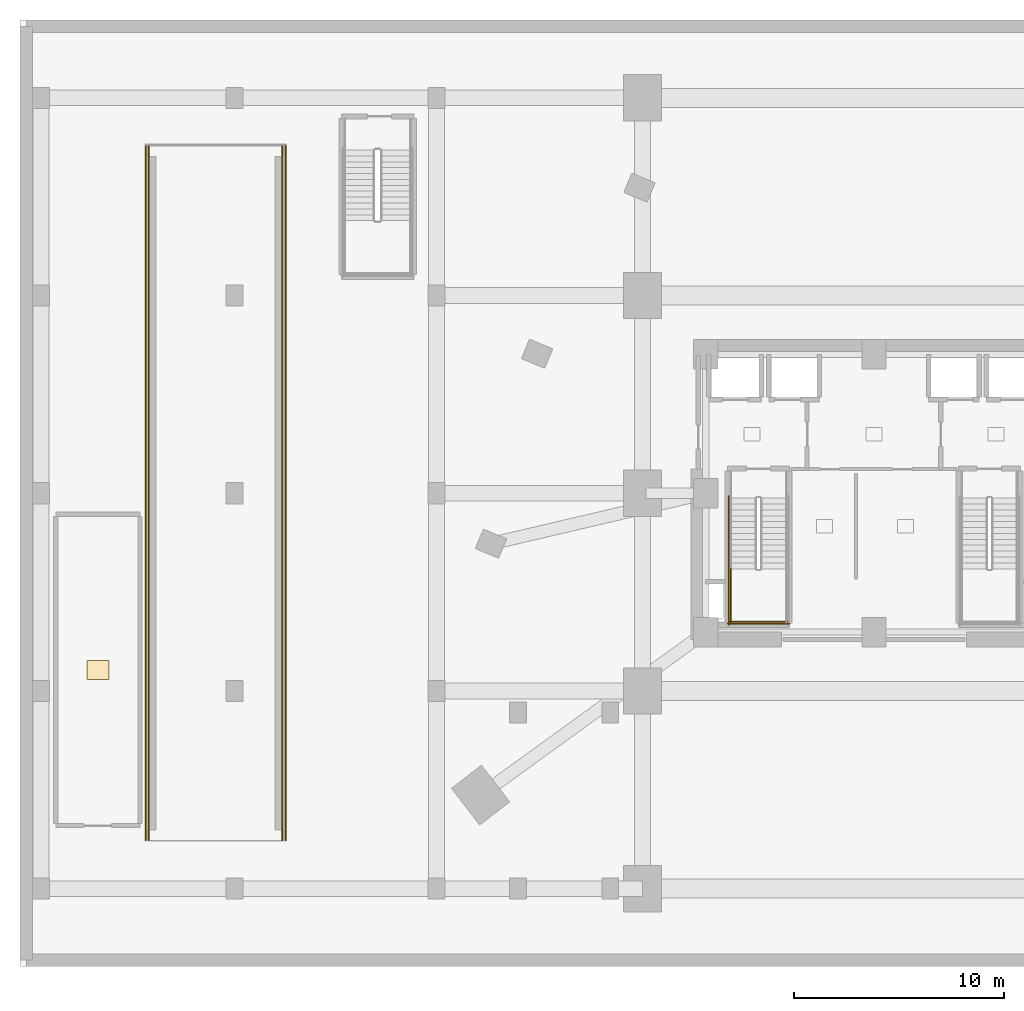
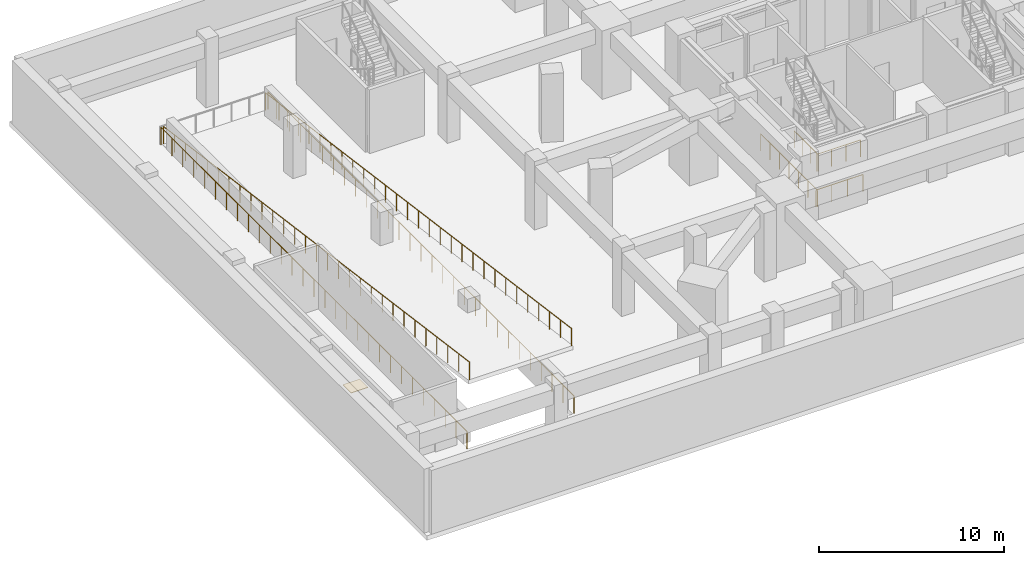
# One storey, part 5 of 9: 8 railings, 1 covering.
"""IFC4 building model written with IfcOpenShell, lengths in metres."""

from ifc_helpers import new_model, si_unit, direction, frame, origin, origin_2d, place, context, subcontext, project, spatial, rectangle, circle, extrude, material, layer, layer_set, type_object, element, save


model = new_model("IFC4")

# Units and contexts
model_context = context("Model", 3, precision=1e-05, world=origin(), true_north=direction((0.0, 1.0)))
body_context = subcontext(model_context, "Body", "Model", "MODEL_VIEW")
ifc_project = project(units=[si_unit("LENGTHUNIT", "METRE"), si_unit("AREAUNIT", "SQUARE_METRE"), si_unit("VOLUMEUNIT", "CUBIC_METRE"), si_unit("PLANEANGLEUNIT", "RADIAN"), si_unit("MASSUNIT", "GRAM", prefix="KILO")], contexts=[model_context])

# Site, building, storey
site_placement = place(None, origin())
site = spatial("IfcSite", under=ifc_project, at=site_placement, CompositionType="ELEMENT")
building_placement = place(site_placement, origin())
building = spatial("IfcBuilding", under=site, at=building_placement, Name="Ndelora Gate Hotel", CompositionType="ELEMENT")
storey_placement = place(building_placement, frame((0.0, 0.0, -9.0)))
storey = spatial("IfcBuildingStorey", under=building, at=storey_placement, Name="B02", CompositionType="ELEMENT", Elevation=-9.0)

# Covering
ifc_material_1 = material(Name="Engineered Highland Oak Parquet", Category="wood")
ifc_layer_1 = layer(ifc_material_1, 0.030029296875)
ifc_layer_set_1 = layer_set([ifc_layer_1], Name="Engineered Highland Oak Parquet")
covering_type = type_object("IfcCoveringType", Name="COV-FLR-PARQ", PredefinedType="FLOORING", material=ifc_layer_set_1)
covering_placement = place(storey_placement, frame((-36.89990234375, -8.39990234375, 0.0), z_axis=(0.0, 0.0, 1.0), x_axis=(1.0, 0.0, 0.0)))
element("IfcCovering", 1, at=covering_placement, inside=storey, type_object=covering_type, Name="B02 Hotel Laundry and Linen Processing Hall Oak Parquet Flooring", PredefinedType="FLOORING", context=body_context, shape_type="SweptSolid", body=[
    extrude(rectangle(XDim=1.050048828125, YDim=0.89990234375, at=origin_2d()), origin(), (0.0, 0.0, 1.0), 0.030029296875),
])

# Railings
ifc_material_2 = material(Name="Galvanized Crash-Rated Steel Guardrail", Category="steel")
ifc_layer_2 = layer(ifc_material_2, 0.080078125)
ifc_layer_set_2 = layer_set([ifc_layer_2], Name="Galvanized Crash-Rated Steel Guardrail")
railing_type_1 = type_object("IfcRailingType", Name="RL-RAMP-GD", PredefinedType="GUARDRAIL", material=ifc_layer_set_2)
railing_1_placement = place(storey_placement, frame((-34.469970703125, 16.5, 0.0)))
element("IfcRailing", 2, at=railing_1_placement, inside=storey, type_object=railing_type_1, Name="Vehicle Ramp R2 Crash Guardrail W", PredefinedType="GUARDRAIL", context=body_context, shape_type="SweptSolid", body=[
    extrude(circle(Radius=0.02392578125, at=origin_2d()), frame((0.0, 0.0, 1.15576171875), z_axis=(0.0, -0.990830168044, 0.135113204733), x_axis=(1.0, 0.0, 0.0)), (0.0, 0.0, 1.0), 33.305419921875),
    extrude(circle(Radius=0.02099609375, at=origin_2d()), origin(), (0.0, 0.0, 1.0), 1.1318359375),
    extrude(circle(Radius=0.02099609375, at=origin_2d()), frame((0.0, -1.178466796875, 0.16064453125)), (0.0, 0.0, 1.0), 1.1318359375),
    extrude(circle(Radius=0.02099609375, at=origin_2d()), frame((0.0, -2.357177734375, 0.321533203125)), (0.0, 0.0, 1.0), 1.1318359375),
    extrude(circle(Radius=0.02099609375, at=origin_2d()), frame((0.0, -3.53564453125, 0.482177734375)), (0.0, 0.0, 1.0), 1.1318359375),
    extrude(circle(Radius=0.02099609375, at=origin_2d()), frame((0.0, -4.71435546875, 0.642822265625)), (0.0, 0.0, 1.0), 1.1318359375),
    extrude(circle(Radius=0.02099609375, at=origin_2d()), frame((0.0, -5.892822265625, 0.803466796875)), (0.0, 0.0, 1.0), 1.1318359375),
    extrude(circle(Radius=0.02099609375, at=origin_2d()), frame((0.0, -7.071533203125, 0.96435546875)), (0.0, 0.0, 1.0), 1.1318359375),
    extrude(circle(Radius=0.02099609375, at=origin_2d()), frame((0.0, -8.25, 1.125)), (0.0, 0.0, 1.0), 1.1318359375),
    extrude(circle(Radius=0.02099609375, at=origin_2d()), frame((0.0, -9.428466796875, 1.28564453125)), (0.0, 0.0, 1.0), 1.1318359375),
    extrude(circle(Radius=0.02099609375, at=origin_2d()), frame((0.0, -10.607177734375, 1.446533203125)), (0.0, 0.0, 1.0), 1.1318359375),
    extrude(circle(Radius=0.02099609375, at=origin_2d()), frame((0.0, -11.78564453125, 1.607177734375)), (0.0, 0.0, 1.0), 1.1318359375),
    extrude(circle(Radius=0.02099609375, at=origin_2d()), frame((0.0, -12.96435546875, 1.767822265625)), (0.0, 0.0, 1.0), 1.1318359375),
    extrude(circle(Radius=0.02099609375, at=origin_2d()), frame((0.0, -14.142822265625, 1.928466796875)), (0.0, 0.0, 1.0), 1.1318359375),
    extrude(circle(Radius=0.02099609375, at=origin_2d()), frame((0.0, -15.321533203125, 2.08935546875)), (0.0, 0.0, 1.0), 1.1318359375),
    extrude(circle(Radius=0.02099609375, at=origin_2d()), frame((0.0, -16.5, 2.25)), (0.0, 0.0, 1.0), 1.1318359375),
    extrude(circle(Radius=0.02099609375, at=origin_2d()), frame((0.0, -17.678466796875, 2.41064453125)), (0.0, 0.0, 1.0), 1.1318359375),
    extrude(circle(Radius=0.02099609375, at=origin_2d()), frame((0.0, -18.857177734375, 2.571533203125)), (0.0, 0.0, 1.0), 1.1318359375),
    extrude(circle(Radius=0.02099609375, at=origin_2d()), frame((0.0, -20.03564453125, 2.732177734375)), (0.0, 0.0, 1.0), 1.1318359375),
    extrude(circle(Radius=0.02099609375, at=origin_2d()), frame((0.0, -21.21435546875, 2.892822265625)), (0.0, 0.0, 1.0), 1.1318359375),
    extrude(circle(Radius=0.02099609375, at=origin_2d()), frame((0.0, -22.392822265625, 3.053466796875)), (0.0, 0.0, 1.0), 1.1318359375),
    extrude(circle(Radius=0.02099609375, at=origin_2d()), frame((0.0, -23.571533203125, 3.21435546875)), (0.0, 0.0, 1.0), 1.1318359375),
    extrude(circle(Radius=0.02099609375, at=origin_2d()), frame((0.0, -24.75, 3.375)), (0.0, 0.0, 1.0), 1.1318359375),
    extrude(circle(Radius=0.02099609375, at=origin_2d()), frame((0.0, -25.928466796875, 3.53564453125)), (0.0, 0.0, 1.0), 1.1318359375),
    extrude(circle(Radius=0.02099609375, at=origin_2d()), frame((0.0, -27.107177734375, 3.696533203125)), (0.0, 0.0, 1.0), 1.1318359375),
    extrude(circle(Radius=0.02099609375, at=origin_2d()), frame((0.0, -28.28564453125, 3.857177734375)), (0.0, 0.0, 1.0), 1.1318359375),
    extrude(circle(Radius=0.02099609375, at=origin_2d()), frame((0.0, -29.46435546875, 4.017822265625)), (0.0, 0.0, 1.0), 1.1318359375),
    extrude(circle(Radius=0.02099609375, at=origin_2d()), frame((0.0, -30.642822265625, 4.178466796875)), (0.0, 0.0, 1.0), 1.1318359375),
    extrude(circle(Radius=0.02099609375, at=origin_2d()), frame((0.0, -31.821533203125, 4.33935546875)), (0.0, 0.0, 1.0), 1.1318359375),
    extrude(circle(Radius=0.02099609375, at=origin_2d()), frame((0.0, -33.0, 4.5)), (0.0, 0.0, 1.0), 1.1318359375),
])
railing_2_placement = place(storey_placement, frame((-28.1298828125, 16.5, 0.0)))
element("IfcRailing", 3, at=railing_2_placement, inside=storey, type_object=railing_type_1, Name="Vehicle Ramp R2 Crash Guardrail E", PredefinedType="GUARDRAIL", context=body_context, shape_type="SweptSolid", body=[
    extrude(circle(Radius=0.02392578125, at=origin_2d()), frame((0.0, 0.0, 1.15576171875), z_axis=(0.0, -0.990830168044, 0.135113204733), x_axis=(1.0, 0.0, 0.0)), (0.0, 0.0, 1.0), 33.305419921875),
    extrude(circle(Radius=0.02099609375, at=origin_2d()), origin(), (0.0, 0.0, 1.0), 1.1318359375),
    extrude(circle(Radius=0.02099609375, at=origin_2d()), frame((0.0, -1.178466796875, 0.16064453125)), (0.0, 0.0, 1.0), 1.1318359375),
    extrude(circle(Radius=0.02099609375, at=origin_2d()), frame((0.0, -2.357177734375, 0.321533203125)), (0.0, 0.0, 1.0), 1.1318359375),
    extrude(circle(Radius=0.02099609375, at=origin_2d()), frame((0.0, -3.53564453125, 0.482177734375)), (0.0, 0.0, 1.0), 1.1318359375),
    extrude(circle(Radius=0.02099609375, at=origin_2d()), frame((0.0, -4.71435546875, 0.642822265625)), (0.0, 0.0, 1.0), 1.1318359375),
    extrude(circle(Radius=0.02099609375, at=origin_2d()), frame((0.0, -5.892822265625, 0.803466796875)), (0.0, 0.0, 1.0), 1.1318359375),
    extrude(circle(Radius=0.02099609375, at=origin_2d()), frame((0.0, -7.071533203125, 0.96435546875)), (0.0, 0.0, 1.0), 1.1318359375),
    extrude(circle(Radius=0.02099609375, at=origin_2d()), frame((0.0, -8.25, 1.125)), (0.0, 0.0, 1.0), 1.1318359375),
    extrude(circle(Radius=0.02099609375, at=origin_2d()), frame((0.0, -9.428466796875, 1.28564453125)), (0.0, 0.0, 1.0), 1.1318359375),
    extrude(circle(Radius=0.02099609375, at=origin_2d()), frame((0.0, -10.607177734375, 1.446533203125)), (0.0, 0.0, 1.0), 1.1318359375),
    extrude(circle(Radius=0.02099609375, at=origin_2d()), frame((0.0, -11.78564453125, 1.607177734375)), (0.0, 0.0, 1.0), 1.1318359375),
    extrude(circle(Radius=0.02099609375, at=origin_2d()), frame((0.0, -12.96435546875, 1.767822265625)), (0.0, 0.0, 1.0), 1.1318359375),
    extrude(circle(Radius=0.02099609375, at=origin_2d()), frame((0.0, -14.142822265625, 1.928466796875)), (0.0, 0.0, 1.0), 1.1318359375),
    extrude(circle(Radius=0.02099609375, at=origin_2d()), frame((0.0, -15.321533203125, 2.08935546875)), (0.0, 0.0, 1.0), 1.1318359375),
    extrude(circle(Radius=0.02099609375, at=origin_2d()), frame((0.0, -16.5, 2.25)), (0.0, 0.0, 1.0), 1.1318359375),
    extrude(circle(Radius=0.02099609375, at=origin_2d()), frame((0.0, -17.678466796875, 2.41064453125)), (0.0, 0.0, 1.0), 1.1318359375),
    extrude(circle(Radius=0.02099609375, at=origin_2d()), frame((0.0, -18.857177734375, 2.571533203125)), (0.0, 0.0, 1.0), 1.1318359375),
    extrude(circle(Radius=0.02099609375, at=origin_2d()), frame((0.0, -20.03564453125, 2.732177734375)), (0.0, 0.0, 1.0), 1.1318359375),
    extrude(circle(Radius=0.02099609375, at=origin_2d()), frame((0.0, -21.21435546875, 2.892822265625)), (0.0, 0.0, 1.0), 1.1318359375),
    extrude(circle(Radius=0.02099609375, at=origin_2d()), frame((0.0, -22.392822265625, 3.053466796875)), (0.0, 0.0, 1.0), 1.1318359375),
    extrude(circle(Radius=0.02099609375, at=origin_2d()), frame((0.0, -23.571533203125, 3.21435546875)), (0.0, 0.0, 1.0), 1.1318359375),
    extrude(circle(Radius=0.02099609375, at=origin_2d()), frame((0.0, -24.75, 3.375)), (0.0, 0.0, 1.0), 1.1318359375),
    extrude(circle(Radius=0.02099609375, at=origin_2d()), frame((0.0, -25.928466796875, 3.53564453125)), (0.0, 0.0, 1.0), 1.1318359375),
    extrude(circle(Radius=0.02099609375, at=origin_2d()), frame((0.0, -27.107177734375, 3.696533203125)), (0.0, 0.0, 1.0), 1.1318359375),
    extrude(circle(Radius=0.02099609375, at=origin_2d()), frame((0.0, -28.28564453125, 3.857177734375)), (0.0, 0.0, 1.0), 1.1318359375),
    extrude(circle(Radius=0.02099609375, at=origin_2d()), frame((0.0, -29.46435546875, 4.017822265625)), (0.0, 0.0, 1.0), 1.1318359375),
    extrude(circle(Radius=0.02099609375, at=origin_2d()), frame((0.0, -30.642822265625, 4.178466796875)), (0.0, 0.0, 1.0), 1.1318359375),
    extrude(circle(Radius=0.02099609375, at=origin_2d()), frame((0.0, -31.821533203125, 4.33935546875)), (0.0, 0.0, 1.0), 1.1318359375),
    extrude(circle(Radius=0.02099609375, at=origin_2d()), frame((0.0, -33.0, 4.5)), (0.0, 0.0, 1.0), 1.1318359375),
])
railing_3_placement = place(storey_placement, frame((-34.6298828125, -16.5, 0.0)))
element("IfcRailing", 4, at=railing_3_placement, inside=storey, type_object=railing_type_1, Name="B02 Ramp R3 Well Deck Guardrail TOP-W", PredefinedType="GUARDRAIL", context=body_context, shape_type="SweptSolid", body=[
    extrude(circle(Radius=0.02392578125, at=origin_2d()), frame((0.0, 0.0, 1.15576171875), z_axis=(0.0, 1.0, 0.0), x_axis=(-1.0, 0.0, 0.0)), (0.0, 0.0, 1.0), 33.0),
    extrude(circle(Radius=0.02099609375, at=origin_2d()), origin(), (0.0, 0.0, 1.0), 1.1318359375),
    extrude(circle(Radius=0.02099609375, at=origin_2d()), frame((0.0, 1.178466796875, 0.0)), (0.0, 0.0, 1.0), 1.1318359375),
    extrude(circle(Radius=0.02099609375, at=origin_2d()), frame((0.0, 2.357177734375, 0.0)), (0.0, 0.0, 1.0), 1.1318359375),
    extrude(circle(Radius=0.02099609375, at=origin_2d()), frame((0.0, 3.53564453125, 0.0)), (0.0, 0.0, 1.0), 1.1318359375),
    extrude(circle(Radius=0.02099609375, at=origin_2d()), frame((0.0, 4.71435546875, 0.0)), (0.0, 0.0, 1.0), 1.1318359375),
    extrude(circle(Radius=0.02099609375, at=origin_2d()), frame((0.0, 5.892822265625, 0.0)), (0.0, 0.0, 1.0), 1.1318359375),
    extrude(circle(Radius=0.02099609375, at=origin_2d()), frame((0.0, 7.071533203125, 0.0)), (0.0, 0.0, 1.0), 1.1318359375),
    extrude(circle(Radius=0.02099609375, at=origin_2d()), frame((0.0, 8.25, 0.0)), (0.0, 0.0, 1.0), 1.1318359375),
    extrude(circle(Radius=0.02099609375, at=origin_2d()), frame((0.0, 9.428466796875, 0.0)), (0.0, 0.0, 1.0), 1.1318359375),
    extrude(circle(Radius=0.02099609375, at=origin_2d()), frame((0.0, 10.607177734375, 0.0)), (0.0, 0.0, 1.0), 1.1318359375),
    extrude(circle(Radius=0.02099609375, at=origin_2d()), frame((0.0, 11.78564453125, 0.0)), (0.0, 0.0, 1.0), 1.1318359375),
    extrude(circle(Radius=0.02099609375, at=origin_2d()), frame((0.0, 12.96435546875, 0.0)), (0.0, 0.0, 1.0), 1.1318359375),
    extrude(circle(Radius=0.02099609375, at=origin_2d()), frame((0.0, 14.142822265625, 0.0)), (0.0, 0.0, 1.0), 1.1318359375),
    extrude(circle(Radius=0.02099609375, at=origin_2d()), frame((0.0, 15.321533203125, 0.0)), (0.0, 0.0, 1.0), 1.1318359375),
    extrude(circle(Radius=0.02099609375, at=origin_2d()), frame((0.0, 16.5, 0.0)), (0.0, 0.0, 1.0), 1.1318359375),
    extrude(circle(Radius=0.02099609375, at=origin_2d()), frame((0.0, 17.678466796875, 0.0)), (0.0, 0.0, 1.0), 1.1318359375),
    extrude(circle(Radius=0.02099609375, at=origin_2d()), frame((0.0, 18.857177734375, 0.0)), (0.0, 0.0, 1.0), 1.1318359375),
    extrude(circle(Radius=0.02099609375, at=origin_2d()), frame((0.0, 20.03564453125, 0.0)), (0.0, 0.0, 1.0), 1.1318359375),
    extrude(circle(Radius=0.02099609375, at=origin_2d()), frame((0.0, 21.21435546875, 0.0)), (0.0, 0.0, 1.0), 1.1318359375),
    extrude(circle(Radius=0.02099609375, at=origin_2d()), frame((0.0, 22.392822265625, 0.0)), (0.0, 0.0, 1.0), 1.1318359375),
    extrude(circle(Radius=0.02099609375, at=origin_2d()), frame((0.0, 23.571533203125, 0.0)), (0.0, 0.0, 1.0), 1.1318359375),
    extrude(circle(Radius=0.02099609375, at=origin_2d()), frame((0.0, 24.75, 0.0)), (0.0, 0.0, 1.0), 1.1318359375),
    extrude(circle(Radius=0.02099609375, at=origin_2d()), frame((0.0, 25.928466796875, 0.0)), (0.0, 0.0, 1.0), 1.1318359375),
    extrude(circle(Radius=0.02099609375, at=origin_2d()), frame((0.0, 27.107177734375, 0.0)), (0.0, 0.0, 1.0), 1.1318359375),
    extrude(circle(Radius=0.02099609375, at=origin_2d()), frame((0.0, 28.28564453125, 0.0)), (0.0, 0.0, 1.0), 1.1318359375),
    extrude(circle(Radius=0.02099609375, at=origin_2d()), frame((0.0, 29.46435546875, 0.0)), (0.0, 0.0, 1.0), 1.1318359375),
    extrude(circle(Radius=0.02099609375, at=origin_2d()), frame((0.0, 30.642822265625, 0.0)), (0.0, 0.0, 1.0), 1.1318359375),
    extrude(circle(Radius=0.02099609375, at=origin_2d()), frame((0.0, 31.821533203125, 0.0)), (0.0, 0.0, 1.0), 1.1318359375),
    extrude(circle(Radius=0.02099609375, at=origin_2d()), frame((0.0, 33.0, 0.0)), (0.0, 0.0, 1.0), 1.1318359375),
])
railing_4_placement = place(storey_placement, frame((-27.969970703125, -16.5, 0.0)))
element("IfcRailing", 5, at=railing_4_placement, inside=storey, type_object=railing_type_1, Name="B02 Ramp R3 Well Deck Guardrail TOP-E", PredefinedType="GUARDRAIL", context=body_context, shape_type="SweptSolid", body=[
    extrude(circle(Radius=0.02392578125, at=origin_2d()), frame((0.0, 0.0, 1.15576171875), z_axis=(0.0, 1.0, 0.0), x_axis=(-1.0, 0.0, 0.0)), (0.0, 0.0, 1.0), 33.0),
    extrude(circle(Radius=0.02099609375, at=origin_2d()), origin(), (0.0, 0.0, 1.0), 1.1318359375),
    extrude(circle(Radius=0.02099609375, at=origin_2d()), frame((0.0, 1.178466796875, 0.0)), (0.0, 0.0, 1.0), 1.1318359375),
    extrude(circle(Radius=0.02099609375, at=origin_2d()), frame((0.0, 2.357177734375, 0.0)), (0.0, 0.0, 1.0), 1.1318359375),
    extrude(circle(Radius=0.02099609375, at=origin_2d()), frame((0.0, 3.53564453125, 0.0)), (0.0, 0.0, 1.0), 1.1318359375),
    extrude(circle(Radius=0.02099609375, at=origin_2d()), frame((0.0, 4.71435546875, 0.0)), (0.0, 0.0, 1.0), 1.1318359375),
    extrude(circle(Radius=0.02099609375, at=origin_2d()), frame((0.0, 5.892822265625, 0.0)), (0.0, 0.0, 1.0), 1.1318359375),
    extrude(circle(Radius=0.02099609375, at=origin_2d()), frame((0.0, 7.071533203125, 0.0)), (0.0, 0.0, 1.0), 1.1318359375),
    extrude(circle(Radius=0.02099609375, at=origin_2d()), frame((0.0, 8.25, 0.0)), (0.0, 0.0, 1.0), 1.1318359375),
    extrude(circle(Radius=0.02099609375, at=origin_2d()), frame((0.0, 9.428466796875, 0.0)), (0.0, 0.0, 1.0), 1.1318359375),
    extrude(circle(Radius=0.02099609375, at=origin_2d()), frame((0.0, 10.607177734375, 0.0)), (0.0, 0.0, 1.0), 1.1318359375),
    extrude(circle(Radius=0.02099609375, at=origin_2d()), frame((0.0, 11.78564453125, 0.0)), (0.0, 0.0, 1.0), 1.1318359375),
    extrude(circle(Radius=0.02099609375, at=origin_2d()), frame((0.0, 12.96435546875, 0.0)), (0.0, 0.0, 1.0), 1.1318359375),
    extrude(circle(Radius=0.02099609375, at=origin_2d()), frame((0.0, 14.142822265625, 0.0)), (0.0, 0.0, 1.0), 1.1318359375),
    extrude(circle(Radius=0.02099609375, at=origin_2d()), frame((0.0, 15.321533203125, 0.0)), (0.0, 0.0, 1.0), 1.1318359375),
    extrude(circle(Radius=0.02099609375, at=origin_2d()), frame((0.0, 16.5, 0.0)), (0.0, 0.0, 1.0), 1.1318359375),
    extrude(circle(Radius=0.02099609375, at=origin_2d()), frame((0.0, 17.678466796875, 0.0)), (0.0, 0.0, 1.0), 1.1318359375),
    extrude(circle(Radius=0.02099609375, at=origin_2d()), frame((0.0, 18.857177734375, 0.0)), (0.0, 0.0, 1.0), 1.1318359375),
    extrude(circle(Radius=0.02099609375, at=origin_2d()), frame((0.0, 20.03564453125, 0.0)), (0.0, 0.0, 1.0), 1.1318359375),
    extrude(circle(Radius=0.02099609375, at=origin_2d()), frame((0.0, 21.21435546875, 0.0)), (0.0, 0.0, 1.0), 1.1318359375),
    extrude(circle(Radius=0.02099609375, at=origin_2d()), frame((0.0, 22.392822265625, 0.0)), (0.0, 0.0, 1.0), 1.1318359375),
    extrude(circle(Radius=0.02099609375, at=origin_2d()), frame((0.0, 23.571533203125, 0.0)), (0.0, 0.0, 1.0), 1.1318359375),
    extrude(circle(Radius=0.02099609375, at=origin_2d()), frame((0.0, 24.75, 0.0)), (0.0, 0.0, 1.0), 1.1318359375),
    extrude(circle(Radius=0.02099609375, at=origin_2d()), frame((0.0, 25.928466796875, 0.0)), (0.0, 0.0, 1.0), 1.1318359375),
    extrude(circle(Radius=0.02099609375, at=origin_2d()), frame((0.0, 27.107177734375, 0.0)), (0.0, 0.0, 1.0), 1.1318359375),
    extrude(circle(Radius=0.02099609375, at=origin_2d()), frame((0.0, 28.28564453125, 0.0)), (0.0, 0.0, 1.0), 1.1318359375),
    extrude(circle(Radius=0.02099609375, at=origin_2d()), frame((0.0, 29.46435546875, 0.0)), (0.0, 0.0, 1.0), 1.1318359375),
    extrude(circle(Radius=0.02099609375, at=origin_2d()), frame((0.0, 30.642822265625, 0.0)), (0.0, 0.0, 1.0), 1.1318359375),
    extrude(circle(Radius=0.02099609375, at=origin_2d()), frame((0.0, 31.821533203125, 0.0)), (0.0, 0.0, 1.0), 1.1318359375),
    extrude(circle(Radius=0.02099609375, at=origin_2d()), frame((0.0, 33.0, 0.0)), (0.0, 0.0, 1.0), 1.1318359375),
])
ifc_material_3 = material(Name="Painted Galvanized Steel Balustrade", Category="steel")
ifc_layer_3 = layer(ifc_material_3, 0.06005859375)
ifc_layer_set_3 = layer_set([ifc_layer_3], Name="Painted Galvanized Steel Balustrade")
railing_type_2 = type_object("IfcRailingType", Name="RL-STAIR-GD", PredefinedType="GUARDRAIL", material=ifc_layer_set_3)
railing_5_placement = place(storey_placement, frame((-6.800048828125, -3.590087890625, 2.25)))
element("IfcRailing", 6, at=railing_5_placement, inside=storey, type_object=railing_type_2, Name="B02 ST4 stair guard 3", PredefinedType="GUARDRAIL", context=body_context, shape_type="SweptSolid", body=[
    extrude(circle(Radius=0.02392578125, at=origin_2d()), frame((0.0, 0.0, 1.10595703125), z_axis=(0.0, -1.0, 0.0), x_axis=(1.0, 0.0, 0.0)), (0.0, 0.0, 1.0), 2.559814453125),
    extrude(circle(Radius=0.02099609375, at=origin_2d()), origin(), (0.0, 0.0, 1.0), 1.081787109375),
    extrude(circle(Radius=0.02099609375, at=origin_2d()), frame((0.0, -0.853271484375, 0.0)), (0.0, 0.0, 1.0), 1.081787109375),
    extrude(circle(Radius=0.02099609375, at=origin_2d()), frame((0.0, -1.70654296875, 0.0)), (0.0, 0.0, 1.0), 1.081787109375),
    extrude(circle(Radius=0.02099609375, at=origin_2d()), frame((0.0, -2.559814453125, 0.0)), (0.0, 0.0, 1.0), 1.081787109375),
])
railing_6_placement = place(storey_placement, frame((-6.85009765625, -6.10009765625, 2.25)))
element("IfcRailing", 7, at=railing_6_placement, inside=storey, type_object=railing_type_2, Name="B02 ST4 stair guard 5", PredefinedType="GUARDRAIL", context=body_context, shape_type="SweptSolid", body=[
    extrude(circle(Radius=0.02392578125, at=origin_2d()), frame((0.0, 0.0, 1.10595703125), z_axis=(1.0, 0.0, 0.0), x_axis=(0.0, 1.0, 0.0)), (0.0, 0.0, 1.0), 2.72021484375),
    extrude(circle(Radius=0.02099609375, at=origin_2d()), origin(), (0.0, 0.0, 1.0), 1.081787109375),
    extrude(circle(Radius=0.02099609375, at=origin_2d()), frame((0.90673828125, 0.0, 0.0)), (0.0, 0.0, 1.0), 1.081787109375),
    extrude(circle(Radius=0.02099609375, at=origin_2d()), frame((1.8134765625, 0.0, 0.0)), (0.0, 0.0, 1.0), 1.081787109375),
    extrude(circle(Radius=0.02099609375, at=origin_2d()), frame((2.72021484375, 0.0, 0.0)), (0.0, 0.0, 1.0), 1.081787109375),
])
railing_7_placement = place(storey_placement, frame((-6.89990234375, -0.1298828125, 0.0)))
element("IfcRailing", 8, at=railing_7_placement, inside=storey, type_object=railing_type_2, Name="B02 ST4 stair guard 10", PredefinedType="GUARDRAIL", context=body_context, shape_type="SweptSolid", body=[
    extrude(circle(Radius=0.02392578125, at=origin_2d()), frame((0.0, 0.0, 1.10595703125), z_axis=(0.0, -1.0, 0.0), x_axis=(1.0, 0.0, 0.0)), (0.0, 0.0, 1.0), 6.1201171875),
    extrude(circle(Radius=0.02099609375, at=origin_2d()), origin(), (0.0, 0.0, 1.0), 1.081787109375),
    extrude(circle(Radius=0.02099609375, at=origin_2d()), frame((0.0, -1.02001953125, 0.0)), (0.0, 0.0, 1.0), 1.081787109375),
    extrude(circle(Radius=0.02099609375, at=origin_2d()), frame((0.0, -2.0400390625, 0.0)), (0.0, 0.0, 1.0), 1.081787109375),
    extrude(circle(Radius=0.02099609375, at=origin_2d()), frame((0.0, -3.06005859375, 0.0)), (0.0, 0.0, 1.0), 1.081787109375),
    extrude(circle(Radius=0.02099609375, at=origin_2d()), frame((0.0, -4.080078125, 0.0)), (0.0, 0.0, 1.0), 1.081787109375),
    extrude(circle(Radius=0.02099609375, at=origin_2d()), frame((0.0, -5.10009765625, 0.0)), (0.0, 0.0, 1.0), 1.081787109375),
    extrude(circle(Radius=0.02099609375, at=origin_2d()), frame((0.0, -6.1201171875, 0.0)), (0.0, 0.0, 1.0), 1.081787109375),
])
railing_8_placement = place(storey_placement, frame((-6.949951171875, -6.199951171875, 0.0)))
element("IfcRailing", 9, at=railing_8_placement, inside=storey, type_object=railing_type_2, Name="B02 ST4 stair guard 12", PredefinedType="GUARDRAIL", context=body_context, shape_type="SweptSolid", body=[
    extrude(circle(Radius=0.02392578125, at=origin_2d()), frame((0.0, 0.0, 1.10595703125), z_axis=(1.0, 0.0, 0.0), x_axis=(0.0, 1.0, 0.0)), (0.0, 0.0, 1.0), 2.919921875),
    extrude(circle(Radius=0.02099609375, at=origin_2d()), origin(), (0.0, 0.0, 1.0), 1.081787109375),
    extrude(circle(Radius=0.02099609375, at=origin_2d()), frame((0.973388671875, 0.0, 0.0)), (0.0, 0.0, 1.0), 1.081787109375),
    extrude(circle(Radius=0.02099609375, at=origin_2d()), frame((1.946533203125, 0.0, 0.0)), (0.0, 0.0, 1.0), 1.081787109375),
    extrude(circle(Radius=0.02099609375, at=origin_2d()), frame((2.919921875, 0.0, 0.0)), (0.0, 0.0, 1.0), 1.081787109375),
])

save(model, "model.ifc")
